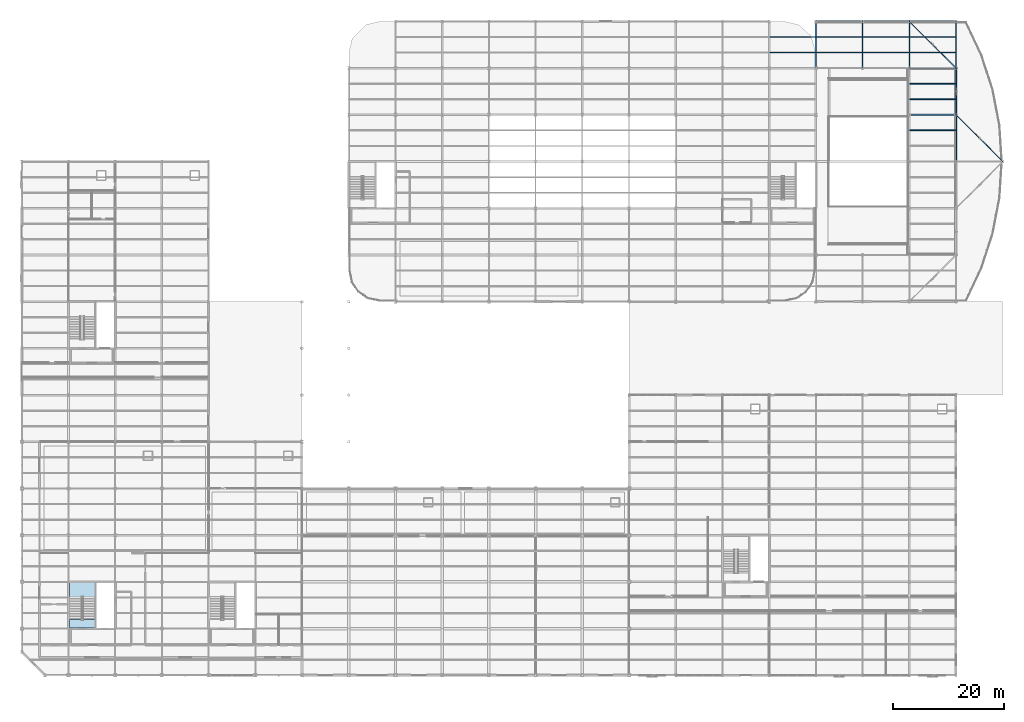
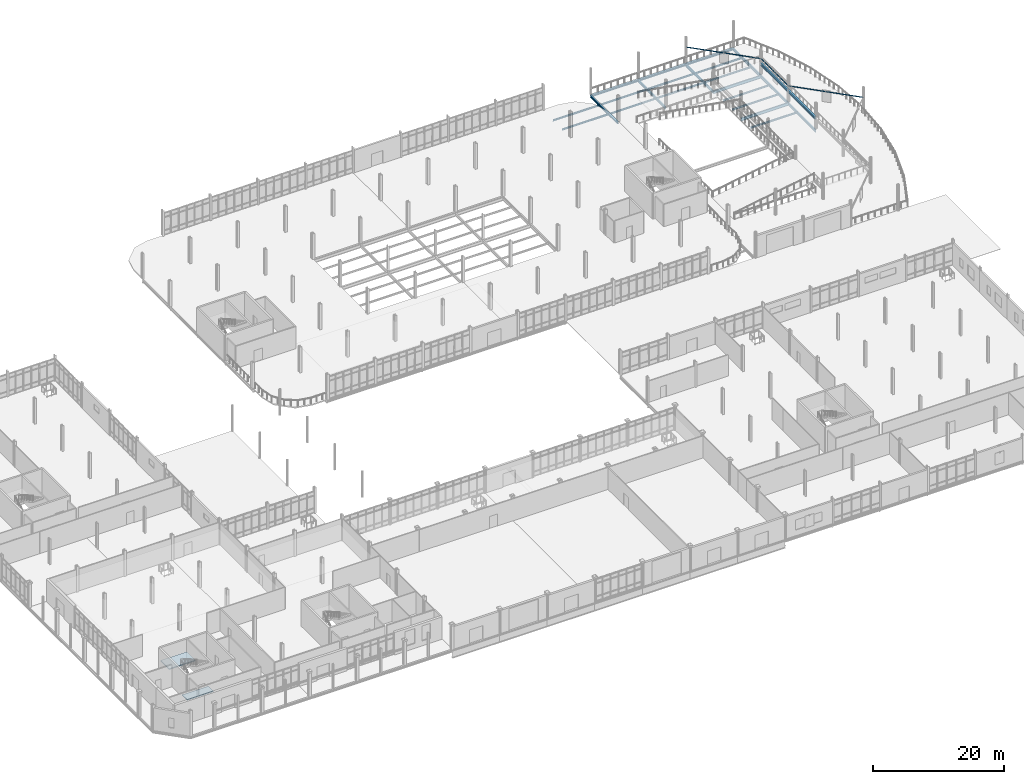
# One storey, part 108 of 145: 27 beams, 2 slabs, 1 element without a shape of its own.
"""IFC4 building model written with IfcOpenShell, lengths in metres."""

from ifc_helpers import new_model, si_unit, direction, frame, origin, origin_2d, place, context, subcontext, project, spatial, polyline, hollow_rectangle, i_section, outline, extrude, material, layer, layer_set, material_profile, profile_set, type_object, element, aggregate, save


model = new_model("IFC4")

# Units and contexts
model_context = context("Model", 3, precision=1e-05, world=origin(), true_north=direction((0.0, 1.0)))
body_context = subcontext(model_context, "Body", "Model", "MODEL_VIEW")
ifc_project = project(units=[si_unit("LENGTHUNIT", "METRE"), si_unit("AREAUNIT", "SQUARE_METRE"), si_unit("VOLUMEUNIT", "CUBIC_METRE"), si_unit("PLANEANGLEUNIT", "RADIAN"), si_unit("MASSUNIT", "GRAM", prefix="KILO")], contexts=[model_context])

# Site, building, storey
site_placement = place(None, origin())
site = spatial("IfcSite", under=ifc_project, at=site_placement, CompositionType="ELEMENT")
building_placement = place(site_placement, origin())
building = spatial("IfcBuilding", under=site, at=building_placement, Name="Qalvenar Corner Mobility Hub", CompositionType="ELEMENT")
storey_placement = place(building_placement, origin())
storey = spatial("IfcBuildingStorey", under=building, at=storey_placement, Name="L00", CompositionType="ELEMENT", Elevation=0.0)

# Beams
ifc_material_1 = material(Name="Steel S355", Category="steel")
ifc_material_profile_1 = material_profile(ifc_material_1, i_section(OverallWidth=0.300048828125, OverallDepth=0.489990234375, WebThickness=0.011962890625, FlangeThickness=0.02294921875, FilletRadius=0.027099609375, at=origin_2d()), Name="HEA500")
ifc_profile_set_1 = profile_set([ifc_material_profile_1], Name="Steel S355")
beam_type_1 = type_object("IfcBeamType", Name="BM-HEA500", PredefinedType="BEAM", material=ifc_profile_set_1)
beam_1_placement = place(storey_placement, frame((168.0, 92.39990234375, 1.93505859375), z_axis=(0.0, 1.0, 0.0), x_axis=(-1.0, 0.0, 0.0)))
element("IfcBeam", 1, at=beam_1_placement, inside=storey, type_object=beam_type_1, Name="Ramp Mid-Landing Girder L00-168-92", PredefinedType="BEAM", context=body_context, shape_type="SweptSolid", body=[
    extrude(i_section(OverallWidth=0.300048828125, OverallDepth=0.489990234375, WebThickness=0.011962890625, FlangeThickness=0.02294921875, FilletRadius=0.027099609375, at=origin_2d()), origin(), (0.0, 0.0, 1.0), 8.400146484375),
])
beam_2_placement = place(storey_placement, frame((168.0, 100.800048828125, 1.93505859375), z_axis=(0.0, 1.0, 0.0), x_axis=(-1.0, 0.0, 0.0)))
element("IfcBeam", 2, at=beam_2_placement, inside=storey, type_object=beam_type_1, Name="Ramp Mid-Landing Girder L00-168-100", PredefinedType="BEAM", context=body_context, shape_type="SweptSolid", body=[
    extrude(i_section(OverallWidth=0.300048828125, OverallDepth=0.489990234375, WebThickness=0.011962890625, FlangeThickness=0.02294921875, FilletRadius=0.027099609375, at=origin_2d()), origin(), (0.0, 0.0, 1.0), 8.39990234375),
])
ifc_material_profile_2 = material_profile(ifc_material_1, i_section(OverallWidth=0.199951171875, OverallDepth=0.5, WebThickness=0.01025390625, FlangeThickness=0.01611328125, FilletRadius=0.02099609375, at=origin_2d()), Name="IPE500")
ifc_profile_set_2 = profile_set([ifc_material_profile_2], Name="Steel S355")
beam_type_2 = type_object("IfcBeamType", Name="BM-IPE500", PredefinedType="BEAM", material=ifc_profile_set_2)
for number, where, z_axis, x_axis, name in (
    (3, (151.199951171875, 109.199951171875, -0.469970703125), (0.0, 1.0, 0.0), (-1.0, 0.0, 0.0), "Primary Steel Girder GY-0778"),
    (4, (159.60009765625, 109.199951171875, -0.469970703125), (0.0, 1.0, 0.0), (-1.0, 0.0, 0.0), "Primary Steel Girder GY-0784"),
    (5, (168.0, 92.39990234375, -0.469970703125), (0.0, 1.0, 0.0), (-1.0, 0.0, 0.0), "Primary Steel Girder GY-0788"),
):
    element("IfcBeam", number, at=place(storey_placement, frame(where, z_axis=z_axis, x_axis=x_axis)), inside=storey, type_object=beam_type_2, Name=name, PredefinedType="BEAM", context=body_context, shape_type="SweptSolid", body=[
        extrude(i_section(OverallWidth=0.199951171875, OverallDepth=0.5, WebThickness=0.01025390625, FlangeThickness=0.01611328125, FilletRadius=0.02099609375, at=origin_2d()), origin(), (0.0, 0.0, 1.0), 8.400146484375),
    ])
beam_3_placement = place(storey_placement, frame((168.0, 100.800048828125, -0.469970703125), z_axis=(0.0, 1.0, 0.0), x_axis=(-1.0, 0.0, 0.0)))
element("IfcBeam", 6, at=beam_3_placement, inside=storey, type_object=beam_type_2, Name="Primary Steel Girder GY-0789", PredefinedType="BEAM", context=body_context, shape_type="SweptSolid", body=[
    extrude(i_section(OverallWidth=0.199951171875, OverallDepth=0.5, WebThickness=0.01025390625, FlangeThickness=0.01611328125, FilletRadius=0.02099609375, at=origin_2d()), origin(), (0.0, 0.0, 1.0), 8.39990234375),
])
beam_4_placement = place(storey_placement, frame((168.0, 109.199951171875, -0.469970703125), z_axis=(0.0, 1.0, 0.0), x_axis=(-1.0, 0.0, 0.0)))
element("IfcBeam", 7, at=beam_4_placement, inside=storey, type_object=beam_type_2, Name="Primary Steel Girder GY-0790", PredefinedType="BEAM", context=body_context, shape_type="SweptSolid", body=[
    extrude(i_section(OverallWidth=0.199951171875, OverallDepth=0.5, WebThickness=0.01025390625, FlangeThickness=0.01611328125, FilletRadius=0.02099609375, at=origin_2d()), origin(), (0.0, 0.0, 1.0), 8.400146484375),
])
ifc_material_profile_3 = material_profile(ifc_material_1, i_section(OverallWidth=0.2099609375, OverallDepth=0.550048828125, WebThickness=0.010986328125, FlangeThickness=0.01708984375, FilletRadius=0.02392578125, at=origin_2d()), Name="IPE550")
ifc_profile_set_3 = profile_set([ifc_material_profile_3], Name="Steel S355")
beam_type_3 = type_object("IfcBeamType", Name="BM-IPE550", PredefinedType="BEAM", material=ifc_profile_set_3)
for number, where, z_axis, x_axis, name in (
    (8, (159.60009765625, 100.800048828125, -0.4951171875), (1.0, 0.0, 0.0), (0.0, 1.0, 0.0), "Primary Steel Girder GX-0768"),
    (9, (159.60009765625, 109.199951171875, -0.4951171875), (1.0, 0.0, 0.0), (0.0, 1.0, 0.0), "Primary Steel Girder GX-0771"),
):
    element("IfcBeam", number, at=place(storey_placement, frame(where, z_axis=z_axis, x_axis=x_axis)), inside=storey, type_object=beam_type_3, Name=name, PredefinedType="BEAM", context=body_context, shape_type="SweptSolid", body=[
        extrude(i_section(OverallWidth=0.2099609375, OverallDepth=0.550048828125, WebThickness=0.010986328125, FlangeThickness=0.01708984375, FilletRadius=0.02392578125, at=origin_2d()), origin(), (0.0, 0.0, 1.0), 8.39990234375),
    ])
ifc_material_profile_4 = material_profile(ifc_material_1, i_section(OverallWidth=0.1650390625, OverallDepth=0.31005859375, WebThickness=0.005859375, FlangeThickness=0.009765625, FilletRadius=0.011962890625, at=origin_2d()), Name="W310x38.7")
ifc_profile_set_4 = profile_set([ifc_material_profile_4], Name="Steel S355")
beam_type_4 = type_object("IfcBeamType", Name="BM-JST310", PredefinedType="JOIST", material=ifc_profile_set_4)
for number, where, z_axis, x_axis, name in (
    (10, (134.47802734375, 112.0, -0.375), (1.0, 0.0, 0.0), (0.0, 1.0, 0.0), "Composite Floor Joist J-0793"),
    (11, (134.47802734375, 114.800048828125, -0.375), (1.0, 0.0, 0.0), (0.0, 1.0, 0.0), "Composite Floor Joist J-0794"),
):
    element("IfcBeam", number, at=place(storey_placement, frame(where, z_axis=z_axis, x_axis=x_axis)), inside=storey, type_object=beam_type_4, Name=name, PredefinedType="JOIST", context=body_context, shape_type="SweptSolid", body=[
        extrude(i_section(OverallWidth=0.1650390625, OverallDepth=0.31005859375, WebThickness=0.005859375, FlangeThickness=0.009765625, FilletRadius=0.011962890625, at=origin_2d()), origin(), (0.0, 0.0, 1.0), 8.243896484375),
    ])
for number, where, z_axis, x_axis, name in (
    (12, (142.8779296875, 112.0, -0.375), (1.0, 0.0, 0.0), (0.0, 1.0, 0.0), "Composite Floor Joist J-0797"),
    (13, (142.8779296875, 114.800048828125, -0.375), (1.0, 0.0, 0.0), (0.0, 1.0, 0.0), "Composite Floor Joist J-0798"),
):
    element("IfcBeam", number, at=place(storey_placement, frame(where, z_axis=z_axis, x_axis=x_axis)), inside=storey, type_object=beam_type_4, Name=name, PredefinedType="JOIST", context=body_context, shape_type="SweptSolid", body=[
        extrude(i_section(OverallWidth=0.1650390625, OverallDepth=0.31005859375, WebThickness=0.005859375, FlangeThickness=0.009765625, FilletRadius=0.011962890625, at=origin_2d()), origin(), (0.0, 0.0, 1.0), 8.244140625),
    ])
for number, where, z_axis, x_axis, name in (
    (14, (151.278076171875, 112.0, -0.375), (1.0, 0.0, 0.0), (0.0, 1.0, 0.0), "Composite Floor Joist J-0801"),
    (15, (151.278076171875, 114.800048828125, -0.375), (1.0, 0.0, 0.0), (0.0, 1.0, 0.0), "Composite Floor Joist J-0802"),
):
    element("IfcBeam", number, at=place(storey_placement, frame(where, z_axis=z_axis, x_axis=x_axis)), inside=storey, type_object=beam_type_4, Name=name, PredefinedType="JOIST", context=body_context, shape_type="SweptSolid", body=[
        extrude(i_section(OverallWidth=0.1650390625, OverallDepth=0.31005859375, WebThickness=0.005859375, FlangeThickness=0.009765625, FilletRadius=0.011962890625, at=origin_2d()), origin(), (0.0, 0.0, 1.0), 8.243896484375),
    ])
for number, where, z_axis, x_axis, name in (
    (16, (159.677978515625, 98.0, -0.375), (1.0, 0.0, 0.0), (0.0, 1.0, 0.0), "Composite Floor Joist J-0810"),
    (17, (159.677978515625, 103.60009765625, -0.375), (1.0, 0.0, 0.0), (0.0, 1.0, 0.0), "Composite Floor Joist J-0811"),
    (18, (159.677978515625, 106.39990234375, -0.375), (1.0, 0.0, 0.0), (0.0, 1.0, 0.0), "Composite Floor Joist J-0812"),
    (19, (159.677978515625, 112.0, -0.375), (1.0, 0.0, 0.0), (0.0, 1.0, 0.0), "Composite Floor Joist J-0813"),
    (20, (159.677978515625, 114.800048828125, -0.375), (1.0, 0.0, 0.0), (0.0, 1.0, 0.0), "Composite Floor Joist J-0814"),
):
    element("IfcBeam", number, at=place(storey_placement, frame(where, z_axis=z_axis, x_axis=x_axis)), inside=storey, type_object=beam_type_4, Name=name, PredefinedType="JOIST", context=body_context, shape_type="SweptSolid", body=[
        extrude(i_section(OverallWidth=0.1650390625, OverallDepth=0.31005859375, WebThickness=0.005859375, FlangeThickness=0.009765625, FilletRadius=0.011962890625, at=origin_2d()), origin(), (0.0, 0.0, 1.0), 8.244140625),
    ])
ifc_material_profile_5 = material_profile(ifc_material_1, i_section(OverallWidth=0.300048828125, OverallDepth=0.330078125, WebThickness=0.009521484375, FlangeThickness=0.0166015625, FilletRadius=0.027099609375, at=origin_2d()), Name="HEA340")
ifc_profile_set_5 = profile_set([ifc_material_profile_5], Name="Steel S355")
beam_type_5 = type_object("IfcBeamType", Name="BM-SPN340", PredefinedType="SPANDREL", material=ifc_profile_set_5)
beam_5_placement = place(storey_placement, frame((142.800048828125, 109.199951171875, -0.385009765625), z_axis=(0.0, 1.0, 0.0), x_axis=(-1.0, 0.0, 0.0)))
element("IfcBeam", 21, at=beam_5_placement, inside=storey, type_object=beam_type_5, Name="Primary Steel Girder GY-0776", PredefinedType="SPANDREL", context=body_context, shape_type="SweptSolid", body=[
    extrude(i_section(OverallWidth=0.300048828125, OverallDepth=0.330078125, WebThickness=0.009521484375, FlangeThickness=0.0166015625, FilletRadius=0.027099609375, at=origin_2d()), origin(), (0.0, 0.0, 1.0), 8.400146484375),
])
ifc_material_profile_6 = material_profile(ifc_material_1, i_section(OverallWidth=0.300048828125, OverallDepth=0.35009765625, WebThickness=0.010009765625, FlangeThickness=0.017578125, FilletRadius=0.027099609375, at=origin_2d()), Name="HEA360")
ifc_profile_set_6 = profile_set([ifc_material_profile_6], Name="Steel S355")
beam_type_6 = type_object("IfcBeamType", Name="BM-SPN360", PredefinedType="SPANDREL", material=ifc_profile_set_6)
beam_6_placement = place(storey_placement, frame((142.800048828125, 117.60009765625, -0.39501953125), z_axis=(1.0, 0.0, 0.0), x_axis=(0.0, 1.0, 0.0)))
element("IfcBeam", 22, at=beam_6_placement, inside=storey, type_object=beam_type_6, Name="Primary Steel Girder GX-0772", PredefinedType="SPANDREL", context=body_context, shape_type="SweptSolid", body=[
    extrude(i_section(OverallWidth=0.300048828125, OverallDepth=0.35009765625, WebThickness=0.010009765625, FlangeThickness=0.017578125, FilletRadius=0.027099609375, at=origin_2d()), origin(), (0.0, 0.0, 1.0), 8.39990234375),
])
beam_7_placement = place(storey_placement, frame((151.199951171875, 117.60009765625, -0.39501953125), z_axis=(1.0, 0.0, 0.0), x_axis=(0.0, 1.0, 0.0)))
element("IfcBeam", 23, at=beam_7_placement, inside=storey, type_object=beam_type_6, Name="Primary Steel Girder GX-0773", PredefinedType="SPANDREL", context=body_context, shape_type="SweptSolid", body=[
    extrude(i_section(OverallWidth=0.300048828125, OverallDepth=0.35009765625, WebThickness=0.010009765625, FlangeThickness=0.017578125, FilletRadius=0.027099609375, at=origin_2d()), origin(), (0.0, 0.0, 1.0), 8.400146484375),
])
beam_8_placement = place(storey_placement, frame((159.60009765625, 117.60009765625, -0.39501953125), z_axis=(1.0, 0.0, 0.0), x_axis=(0.0, 1.0, 0.0)))
element("IfcBeam", 24, at=beam_8_placement, inside=storey, type_object=beam_type_6, Name="Primary Steel Girder GX-0774", PredefinedType="SPANDREL", context=body_context, shape_type="SweptSolid", body=[
    extrude(i_section(OverallWidth=0.300048828125, OverallDepth=0.35009765625, WebThickness=0.010009765625, FlangeThickness=0.017578125, FilletRadius=0.027099609375, at=origin_2d()), origin(), (0.0, 0.0, 1.0), 8.39990234375),
])
ifc_material_profile_7 = material_profile(ifc_material_1, hollow_rectangle(XDim=0.10009765625, YDim=0.14990234375, WallThickness=0.00634765625, InnerFilletRadius=0.00634765625, OuterFilletRadius=0.0126953125, at=origin_2d()), Name="RHS150x100x6.3")
ifc_profile_set_7 = profile_set([ifc_material_profile_7], Name="Steel S355")
beam_type_7 = type_object("IfcBeamType", Name="FR-RAIL150", PredefinedType="SPANDREL", material=ifc_profile_set_7)
beam_9_placement = place(storey_placement, frame((176.39990234375, 92.39990234375, 2.85009765625), z_axis=(-0.707096505339, 0.707117056885, 0.0), x_axis=(-0.707117056885, -0.707096505339, 0.0)))
element("IfcBeam", 25, at=beam_9_placement, inside=storey, type_object=beam_type_7, Name="Rotunda Screen Rail V2-L00-4", PredefinedType="SPANDREL", context=body_context, shape_type="SweptSolid", body=[
    extrude(hollow_rectangle(XDim=0.10009765625, YDim=0.14990234375, WallThickness=0.00634765625, InnerFilletRadius=0.00634765625, OuterFilletRadius=0.0126953125, at=origin_2d()), origin(), (0.0, 0.0, 1.0), 11.87939453125),
])
beam_10_placement = place(storey_placement, frame((168.0, 100.800048828125, 2.85009765625), z_axis=(0.0, 1.0, 0.0), x_axis=(-1.0, 0.0, 0.0)))
element("IfcBeam", 26, at=beam_10_placement, inside=storey, type_object=beam_type_7, Name="Rotunda Screen Rail V2-L00-5", PredefinedType="SPANDREL", context=body_context, shape_type="SweptSolid", body=[
    extrude(hollow_rectangle(XDim=0.10009765625, YDim=0.14990234375, WallThickness=0.00634765625, InnerFilletRadius=0.00634765625, OuterFilletRadius=0.0126953125, at=origin_2d()), origin(), (0.0, 0.0, 1.0), 8.39990234375),
])
beam_11_placement = place(storey_placement, frame((168.0, 109.199951171875, 2.85009765625), z_axis=(-0.707096505339, 0.707117056885, 0.0), x_axis=(-0.707117056885, -0.707096505339, 0.0)))
element("IfcBeam", 27, at=beam_11_placement, inside=storey, type_object=beam_type_7, Name="Rotunda Screen Rail V2-L00-6", PredefinedType="SPANDREL", context=body_context, shape_type="SweptSolid", body=[
    extrude(hollow_rectangle(XDim=0.10009765625, YDim=0.14990234375, WallThickness=0.00634765625, InnerFilletRadius=0.00634765625, OuterFilletRadius=0.0126953125, at=origin_2d()), origin(), (0.0, 0.0, 1.0), 11.87939453125),
])

# Stair, slab
ifc_material_2 = material(Name="Concrete C35/45", Category="concrete")
stair_type = type_object("IfcStairType", Name="STR-220-H48", PredefinedType="TWO_QUARTER_TURN_STAIR", material=ifc_material_2)
stair_placement = place(storey_placement, origin())
stair = element("IfcStair", 28, at=stair_placement, inside=storey, type_object=stair_type, Name="Exit Stair ST1 L00-L01", PredefinedType="TWO_QUARTER_TURN_STAIR")
ifc_layer_1 = layer(ifc_material_2, 0.179931640625)
ifc_layer_set_1 = layer_set([ifc_layer_1], Name="Concrete C35/45")
slab_type_1 = type_object("IfcSlabType", Name="SLB-LND180", PredefinedType="LANDING", material=ifc_layer_set_1)
slab_1_placement = place(storey_placement, frame((0.0, 0.0, 2.219970703125)))
slab_1 = element("IfcSlab", 29, at=slab_1_placement, type_object=slab_type_1, Name="ST1 landing 1", PredefinedType="LANDING", context=body_context, shape_type="SweptSolid", body=[
    extrude(outline(polyline([(8.5400390625, 14.050048828125), (13.179931640625, 14.050048828125), (13.179931640625, 16.659912109375), (8.5400390625, 16.659912109375), (8.5400390625, 14.050048828125)])), origin(), (0.0, 0.0, 1.0), 0.179931640625),
])
aggregate(stair, [slab_1])

# Slab
ifc_layer_2 = layer(ifc_material_2, 0.175048828125)
ifc_layer_set_2 = layer_set([ifc_layer_2], Name="Concrete C35/45")
slab_type_2 = type_object("IfcSlabType", Name="SLB-LND200", PredefinedType="LANDING", material=ifc_layer_set_2)
slab_2_placement = place(storey_placement, frame((0.0, 0.0, -0.175048828125)))
element("IfcSlab", 30, at=slab_2_placement, inside=storey, type_object=slab_type_2, Name="Core Stair Arrival Landing C1-L00", PredefinedType="LANDING", context=body_context, shape_type="SweptSolid", body=[
    extrude(outline(polyline([(8.550048828125, 8.550048828125), (13.169921875, 8.550048828125), (13.169921875, 10.050048828125), (8.550048828125, 10.050048828125), (8.550048828125, 8.550048828125)])), origin(), (0.0, 0.0, 1.0), 0.175048828125),
])

save(model, "model.ifc")
